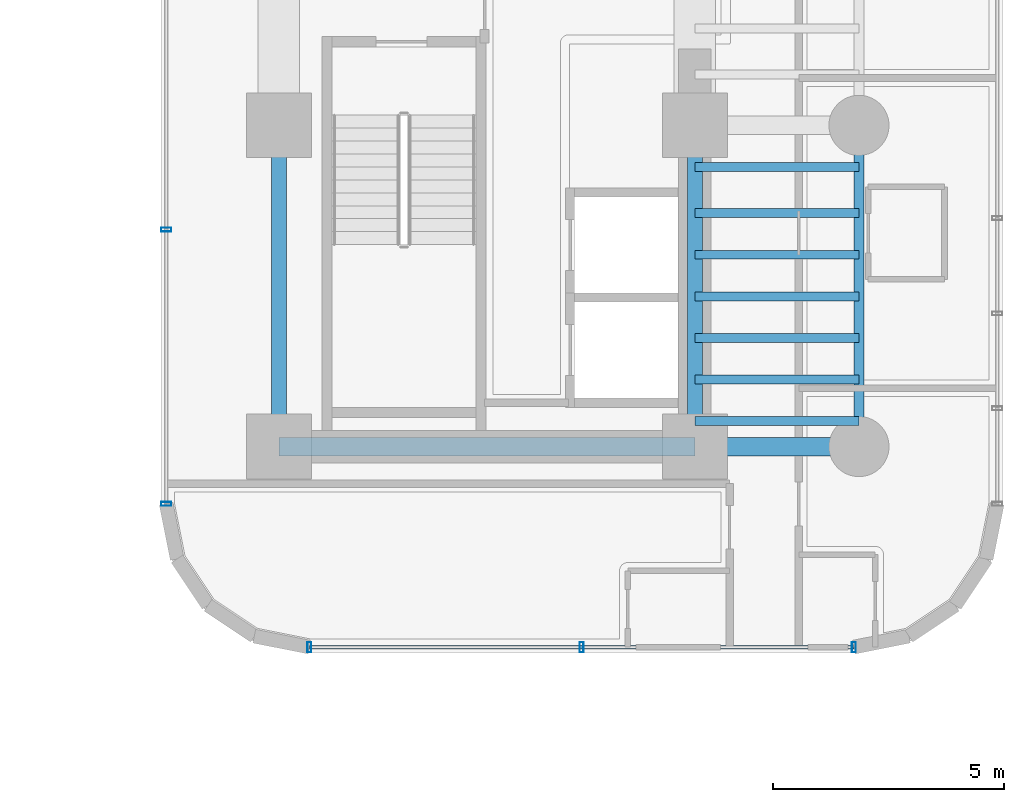
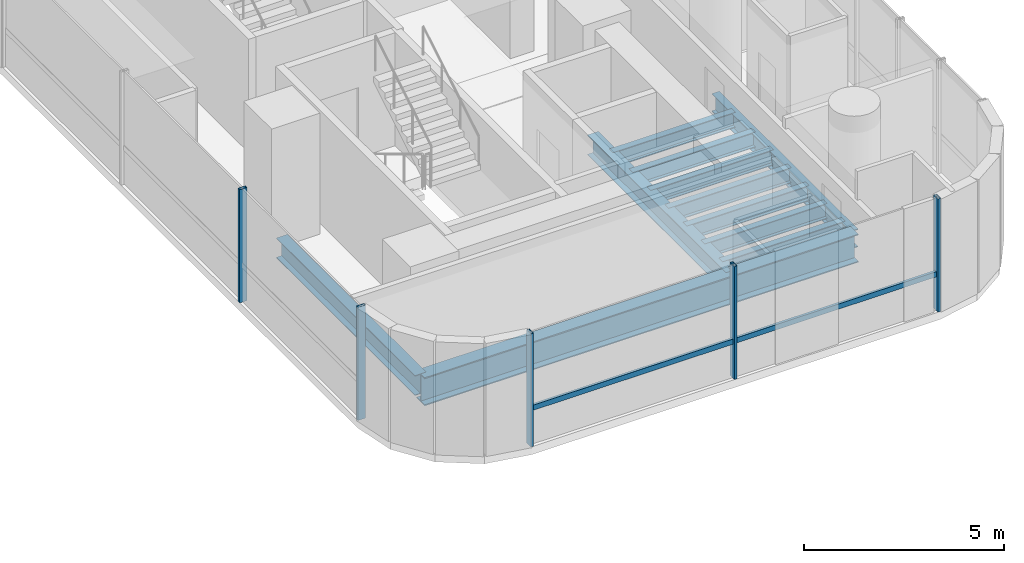
# One storey, part 13 of 41: 12 beams, 6 members, 2 elements without a shape of their own.
"""IFC4 building model written with IfcOpenShell, lengths in metres."""

from ifc_helpers import new_model, si_unit, direction, frame, origin, origin_2d, place, context, subcontext, project, spatial, hollow_rectangle, i_section, extrude, source, transform, mapped, material, material_profile, profile_set, type_object, element, aggregate, save


model = new_model("IFC4")

# Units and contexts
model_context = context("Model", 3, precision=1e-05, world=origin(), true_north=direction((0.0, 1.0)))
body_context = subcontext(model_context, "Body", "Model", "MODEL_VIEW")
ifc_project = project(units=[si_unit("LENGTHUNIT", "METRE"), si_unit("AREAUNIT", "SQUARE_METRE"), si_unit("VOLUMEUNIT", "CUBIC_METRE"), si_unit("PLANEANGLEUNIT", "RADIAN"), si_unit("MASSUNIT", "GRAM", prefix="KILO")], contexts=[model_context])

# Site, building, storey
site_placement = place(None, origin())
site = spatial("IfcSite", under=ifc_project, at=site_placement, CompositionType="ELEMENT")
building_placement = place(site_placement, origin())
building = spatial("IfcBuilding", under=site, at=building_placement, Name="Valdorenza Pilgrim Sanctuary Tower", CompositionType="ELEMENT")
storey_placement = place(building_placement, frame((0.0, 0.0, 63.0)))
storey = spatial("IfcBuildingStorey", under=building, at=storey_placement, Name="L15", CompositionType="ELEMENT", Elevation=63.0)

# Beams
ifc_material_1 = material(Name="Steel ASTM A992 Grade 50", Category="steel")
ifc_material_profile_1 = material_profile(ifc_material_1, i_section(OverallWidth=0.323974609375, OverallDepth=0.611083984375, WebThickness=0.0126953125, FlangeThickness=0.01904296875, at=origin_2d()), Name="W24X104")
ifc_profile_set_1 = profile_set([ifc_material_profile_1], Name="Steel ASTM A992 Grade 50")
beam_type_1 = type_object("IfcBeamType", Name="STR-BM-GRD-W24B", PredefinedType="BEAM", material=ifc_profile_set_1)
shared_shape_1 = source(origin(), body_context, "Body", "SweptSolid", [
    extrude(i_section(OverallWidth=0.323974609375, OverallDepth=0.611083984375, WebThickness=0.0126953125, FlangeThickness=0.01904296875, at=origin_2d()), origin(), (0.0, 0.0, 1.0), 6.949951171875),
])
for number, where, z_axis, x_axis, name in (
    (1, (15.85009765625, -9.550048828125, -0.54541015625), (0.0, 1.0, 0.0), (-1.0, 0.0, 0.0), "L15 Core Tie Girder CB-W-S1M0"),
    (2, (24.85009765625, -9.550048828125, -0.54541015625), (0.0, 1.0, 0.0), (-1.0, 0.0, 0.0), "L15 Core Tie Girder CB-E-S1M0"),
):
    element("IfcBeam", number, at=place(storey_placement, frame(where, z_axis=z_axis, x_axis=x_axis)), inside=storey, type_object=beam_type_1, Name=name, PredefinedType="BEAM", context=body_context, shape_type="MappedRepresentation", body=[
        mapped(shared_shape_1, transform((0.0, 0.0, 0.0), x_axis=(1.0, 0.0, 0.0), y_axis=(0.0, 1.0, 0.0), z_axis=(0.0, 0.0, 1.0), scale=1.0)),
    ])
ifc_material_profile_2 = material_profile(ifc_material_1, i_section(OverallWidth=0.214111328125, OverallDepth=0.549072265625, WebThickness=0.0146484375, FlangeThickness=0.023681640625, at=origin_2d()), Name="W21X93")
ifc_profile_set_2 = profile_set([ifc_material_profile_2], Name="Steel ASTM A992 Grade 50")
beam_type_2 = type_object("IfcBeamType", Name="STR-BM-SPN-W21A", PredefinedType="SPANDREL", material=ifc_profile_set_2)
shared_shape_2 = source(origin(), body_context, "Body", "SweptSolid", [
    extrude(i_section(OverallWidth=0.214111328125, OverallDepth=0.549072265625, WebThickness=0.0146484375, FlangeThickness=0.023681640625, at=origin_2d()), origin(), (0.0, 0.0, 1.0), 6.949951171875),
])
beam_1_placement = place(storey_placement, frame((28.39990234375, -9.550048828125, -0.514404296875), z_axis=(0.0, 1.0, 0.0), x_axis=(-1.0, 0.0, 0.0)))
element("IfcBeam", 3, at=beam_1_placement, inside=storey, type_object=beam_type_2, Name="L15 Spandrel Beam WB-E-S1M0", PredefinedType="SPANDREL", context=body_context, shape_type="MappedRepresentation", body=[
    mapped(shared_shape_2, transform((0.0, 0.0, 0.0), x_axis=(1.0, 0.0, 0.0), y_axis=(0.0, 1.0, 0.0), z_axis=(0.0, 0.0, 1.0), scale=1.0)),
])
ifc_material_profile_3 = material_profile(ifc_material_1, i_section(OverallWidth=0.193115234375, OverallDepth=0.466064453125, WebThickness=0.011474609375, FlangeThickness=0.01904296875, at=origin_2d()), Name="W18X65")
ifc_profile_set_3 = profile_set([ifc_material_profile_3], Name="Steel ASTM A992 Grade 50")
beam_type_3 = type_object("IfcBeamType", Name="STR-BM-JST-W18A", PredefinedType="JOIST", material=ifc_profile_set_3)
shared_shape_3 = source(origin(), body_context, "Body", "SweptSolid", [
    extrude(i_section(OverallWidth=0.193115234375, OverallDepth=0.466064453125, WebThickness=0.011474609375, FlangeThickness=0.01904296875, at=origin_2d()), origin(), (0.0, 0.0, 1.0), 3.5498046875),
])
for number, where, z_axis, x_axis, name in (
    (4, (24.85009765625, -9.0, -0.472900390625), (1.0, 0.0, 0.0), (0.0, 1.0, 0.0), "L15 Composite Floor Joist JST-WB-1"),
    (5, (24.85009765625, -8.10009765625, -0.472900390625), (1.0, 0.0, 0.0), (0.0, 1.0, 0.0), "L15 Composite Floor Joist JST-WB-2"),
    (6, (24.85009765625, -7.199951171875, -0.472900390625), (1.0, 0.0, 0.0), (0.0, 1.0, 0.0), "L15 Composite Floor Joist JST-WB-3"),
    (7, (24.85009765625, -6.300048828125, -0.472900390625), (1.0, 0.0, 0.0), (0.0, 1.0, 0.0), "L15 Composite Floor Joist JST-WB-4"),
    (8, (24.85009765625, -5.39990234375, -0.472900390625), (1.0, 0.0, 0.0), (0.0, 1.0, 0.0), "L15 Composite Floor Joist JST-WB-5"),
    (9, (24.85009765625, -4.5, -0.472900390625), (1.0, 0.0, 0.0), (0.0, 1.0, 0.0), "L15 Composite Floor Joist JST-WB-6"),
    (10, (24.85009765625, -3.5, -0.472900390625), (1.0, 0.0, 0.0), (0.0, 1.0, 0.0), "L15 Composite Floor Joist JST-WB-7"),
):
    element("IfcBeam", number, at=place(storey_placement, frame(where, z_axis=z_axis, x_axis=x_axis)), inside=storey, type_object=beam_type_3, Name=name, PredefinedType="JOIST", context=body_context, shape_type="MappedRepresentation", body=[
        mapped(shared_shape_3, transform((0.0, 0.0, 0.0), x_axis=(1.0, 0.0, 0.0), y_axis=(0.0, 1.0, 0.0), z_axis=(0.0, 0.0, 1.0), scale=1.0)),
    ])
ifc_material_profile_4 = material_profile(ifc_material_1, i_section(OverallWidth=0.39990234375, OverallDepth=0.862060546875, WebThickness=0.019775390625, FlangeThickness=0.032470703125, at=origin_2d()), Name="W33X221")
ifc_profile_set_4 = profile_set([ifc_material_profile_4], Name="Steel ASTM A992 Grade 50")
beam_type_4 = type_object("IfcBeamType", Name="STR-BM-GRD-W33", PredefinedType="BEAM", material=ifc_profile_set_4)
shared_shape_4 = source(origin(), body_context, "Body", "SweptSolid", [
    extrude(i_section(OverallWidth=0.39990234375, OverallDepth=0.862060546875, WebThickness=0.019775390625, FlangeThickness=0.032470703125, at=origin_2d()), origin(), (0.0, 0.0, 1.0), 9.0),
])
beam_2_placement = place(storey_placement, frame((15.85009765625, -9.550048828125, -0.6708984375), z_axis=(1.0, 0.0, 0.0), x_axis=(0.0, 1.0, 0.0)))
element("IfcBeam", 11, at=beam_2_placement, inside=storey, type_object=beam_type_4, Name="L15 Floor Girder CB-XC-S1", PredefinedType="BEAM", context=body_context, shape_type="MappedRepresentation", body=[
    mapped(shared_shape_4, transform((0.0, 0.0, 0.0), x_axis=(1.0, 0.0, 0.0), y_axis=(0.0, 1.0, 0.0), z_axis=(0.0, 0.0, 1.0), scale=1.0)),
])
shared_shape_5 = source(origin(), body_context, "Body", "SweptSolid", [
    extrude(i_section(OverallWidth=0.39990234375, OverallDepth=0.862060546875, WebThickness=0.019775390625, FlangeThickness=0.032470703125, at=origin_2d()), origin(), (0.0, 0.0, 1.0), 3.5498046875),
])
beam_3_placement = place(storey_placement, frame((24.85009765625, -9.550048828125, -0.6708984375), z_axis=(1.0, 0.0, 0.0), x_axis=(0.0, 1.0, 0.0)))
element("IfcBeam", 12, at=beam_3_placement, inside=storey, type_object=beam_type_4, Name="L15 Floor Girder WB-XE-S1", PredefinedType="BEAM", context=body_context, shape_type="MappedRepresentation", body=[
    mapped(shared_shape_5, transform((0.0, 0.0, 0.0), x_axis=(1.0, 0.0, 0.0), y_axis=(0.0, 1.0, 0.0), z_axis=(0.0, 0.0, 1.0), scale=1.0)),
])

# Curtain wall, members
ifc_material_2 = material(Name="Curtain-wall IGU glazing", Category="glass")
curtain_wall_type = type_object("IfcCurtainWallType", Name="CW-SYS-03", PredefinedType="NOTDEFINED", material=ifc_material_2)
curtain_wall_1_placement = place(storey_placement, origin())
curtain_wall_1 = element("IfcCurtainWall", 13, at=curtain_wall_1_placement, inside=storey, type_object=curtain_wall_type, Name="L15 Curtain Wall CW-L15-1-26", PredefinedType="NOTDEFINED")
ifc_material_3 = material(Name="Anodised aluminium AW-6060", Category="aluminium")
ifc_material_profile_5 = material_profile(ifc_material_3, hollow_rectangle(XDim=0.0849609375, YDim=0.219970703125, WallThickness=0.0048828125, at=origin_2d()), Name="ALU-M 220x85x5")
ifc_profile_set_5 = profile_set([ifc_material_profile_5], Name="Anodised aluminium AW-6060")
member_type_1 = type_object("IfcMemberType", Name="CW-MUL-03", PredefinedType="MULLION", material=ifc_profile_set_5)
shared_shape_6 = source(origin(), body_context, "Body", "SweptSolid", [
    extrude(hollow_rectangle(XDim=0.0849609375, YDim=0.219970703125, WallThickness=0.0048828125, at=origin_2d()), origin(), (0.0, 0.0, 1.0), 3.4599609375),
])
member_1_placement = place(storey_placement, frame((28.289306640625, -13.889892578125, 0.0), z_axis=(0.0, 0.0, 1.0), x_axis=(-1.0, 0.0, 0.0)))
member_1 = element("IfcMember", 14, at=member_1_placement, type_object=member_type_1, Name="CW-L15-1-26 Mullion 1", PredefinedType="MULLION", context=body_context, shape_type="MappedRepresentation", body=[
    mapped(shared_shape_6, transform((0.0, 0.0, 0.0), x_axis=(1.0, 0.0, 0.0), y_axis=(0.0, 1.0, 0.0), z_axis=(0.0, 0.0, 1.0), scale=1.0)),
])
member_2_placement = place(storey_placement, frame((22.39990234375, -13.889892578125, 0.0), z_axis=(0.0, 0.0, 1.0), x_axis=(-1.0, 0.0, 0.0)))
member_2 = element("IfcMember", 15, at=member_2_placement, type_object=member_type_1, Name="CW-L15-1-26 Mullion 2", PredefinedType="MULLION", context=body_context, shape_type="MappedRepresentation", body=[
    mapped(shared_shape_6, transform((0.0, 0.0, 0.0), x_axis=(1.0, 0.0, 0.0), y_axis=(0.0, 1.0, 0.0), z_axis=(0.0, 0.0, 1.0), scale=1.0)),
])
member_3_placement = place(storey_placement, frame((16.5107421875, -13.889892578125, 0.0), z_axis=(0.0, 0.0, 1.0), x_axis=(-1.0, 0.0, 0.0)))
member_3 = element("IfcMember", 16, at=member_3_placement, type_object=member_type_1, Name="CW-L15-1-26 Mullion 3", PredefinedType="MULLION", context=body_context, shape_type="MappedRepresentation", body=[
    mapped(shared_shape_6, transform((0.0, 0.0, 0.0), x_axis=(1.0, 0.0, 0.0), y_axis=(0.0, 1.0, 0.0), z_axis=(0.0, 0.0, 1.0), scale=1.0)),
])

curtain_wall_2_placement = place(storey_placement, origin())
curtain_wall_2 = element("IfcCurtainWall", 17, at=curtain_wall_2_placement, inside=storey, type_object=curtain_wall_type, Name="L15 Curtain Wall CW-L15-1-31", PredefinedType="NOTDEFINED")
member_4_placement = place(storey_placement, frame((13.409912109375, -10.789306640625, 0.0), z_axis=(0.0, 0.0, 1.0), x_axis=(0.0, 1.0, 0.0)))
member_4 = element("IfcMember", 18, at=member_4_placement, type_object=member_type_1, Name="CW-L15-1-31 Mullion 1", PredefinedType="MULLION", context=body_context, shape_type="MappedRepresentation", body=[
    mapped(shared_shape_6, transform((0.0, 0.0, 0.0), x_axis=(1.0, 0.0, 0.0), y_axis=(0.0, 1.0, 0.0), z_axis=(0.0, 0.0, 1.0), scale=1.0)),
])
member_5_placement = place(storey_placement, frame((13.409912109375, -4.85595703125, 0.0), z_axis=(0.0, 0.0, 1.0), x_axis=(0.0, 1.0, 0.0)))
member_5 = element("IfcMember", 19, at=member_5_placement, type_object=member_type_1, Name="CW-L15-1-31 Mullion 2", PredefinedType="MULLION", context=body_context, shape_type="MappedRepresentation", body=[
    mapped(shared_shape_6, transform((0.0, 0.0, 0.0), x_axis=(1.0, 0.0, 0.0), y_axis=(0.0, 1.0, 0.0), z_axis=(0.0, 0.0, 1.0), scale=1.0)),
])
aggregate(curtain_wall_2, [member_4, member_5])

# Member
ifc_material_profile_6 = material_profile(ifc_material_3, hollow_rectangle(XDim=0.074951171875, YDim=0.159912109375, WallThickness=0.00390625, at=origin_2d()), Name="ALU-T 160x75x4")
ifc_profile_set_6 = profile_set([ifc_material_profile_6], Name="Anodised aluminium AW-6060")
member_type_2 = type_object("IfcMemberType", Name="CW-TRN-03", PredefinedType="USERDEFINED", material=ifc_profile_set_6)
shared_shape_7 = source(origin(), body_context, "Body", "SweptSolid", [
    extrude(hollow_rectangle(XDim=0.074951171875, YDim=0.159912109375, WallThickness=0.00390625, at=origin_2d()), origin(), (0.0, 0.0, 1.0), 11.778564453125),
])
member_6_placement = place(storey_placement, frame((28.289306640625, -13.889892578125, 1.1201171875), z_axis=(-1.0, 0.0, 0.0), x_axis=(0.0, -1.0, 0.0)))
member_6 = element("IfcMember", 20, at=member_6_placement, type_object=member_type_2, Name="CW-L15-1-26 Transom 1", ObjectType="TRANSOM", PredefinedType="USERDEFINED", context=body_context, shape_type="MappedRepresentation", body=[
    mapped(shared_shape_7, transform((0.0, 0.0, 0.0), x_axis=(1.0, 0.0, 0.0), y_axis=(0.0, 1.0, 0.0), z_axis=(0.0, 0.0, 1.0), scale=1.0)),
])

aggregate(curtain_wall_1, [member_1, member_2, member_3, member_6])

save(model, "model.ifc")
